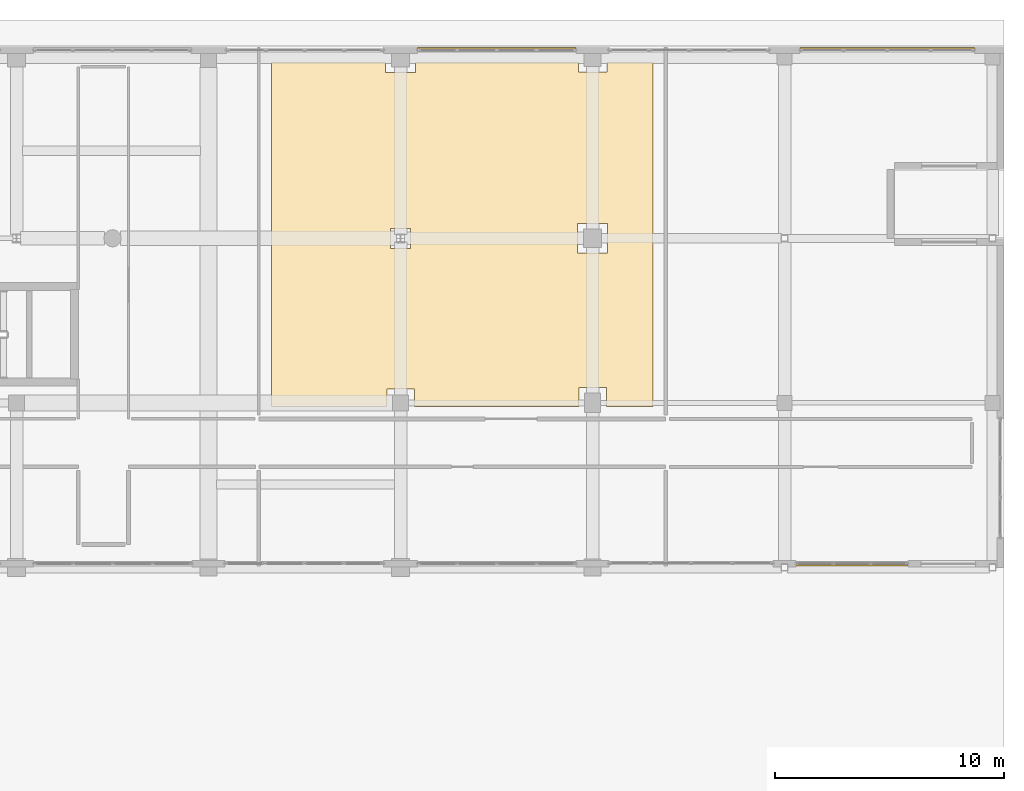
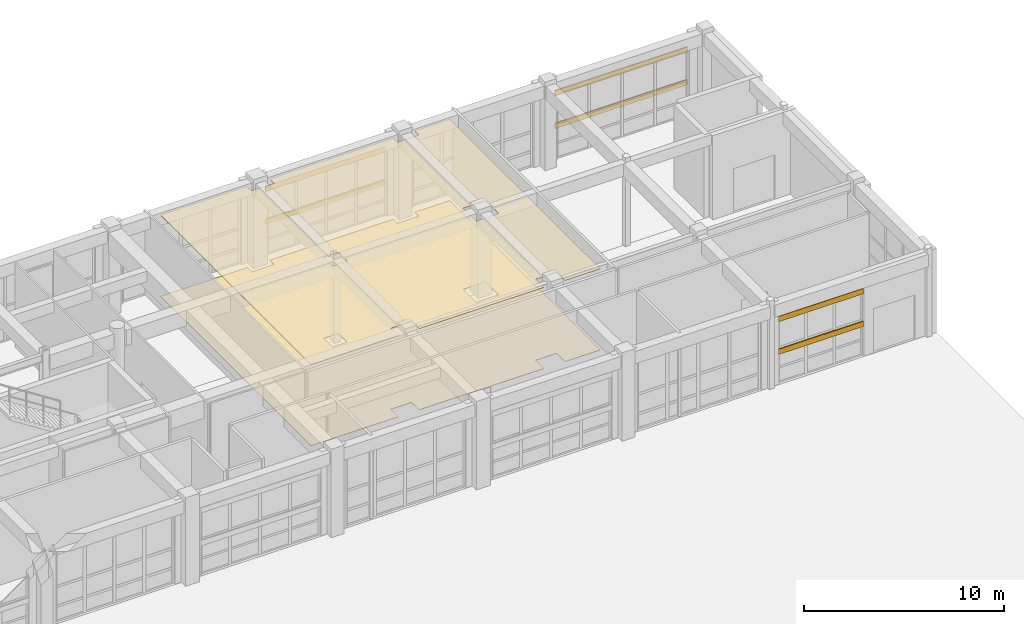
# One storey, part 148 of 148: 6 shading devices, 2 coverings.
"""IFC4 building model written with IfcOpenShell, lengths in metres."""

from ifc_helpers import new_model, si_unit, direction, frame, origin, origin_2d, place, context, subcontext, project, spatial, polyline, hollow_rectangle, outline, extrude, material, layer, layer_set, material_profile, profile_set, type_object, element, save


model = new_model("IFC4")

# Units and contexts
model_context = context("Model", 3, precision=1e-05, world=origin(), true_north=direction((0.0, 1.0)))
body_context = subcontext(model_context, "Body", "Model", "MODEL_VIEW")
ifc_project = project(units=[si_unit("LENGTHUNIT", "METRE"), si_unit("AREAUNIT", "SQUARE_METRE"), si_unit("VOLUMEUNIT", "CUBIC_METRE"), si_unit("PLANEANGLEUNIT", "RADIAN"), si_unit("MASSUNIT", "GRAM", prefix="KILO")], contexts=[model_context])

# Site, building, storey
site_placement = place(None, origin())
site = spatial("IfcSite", under=ifc_project, at=site_placement, CompositionType="ELEMENT")
building_placement = place(site_placement, origin())
building = spatial("IfcBuilding", under=site, at=building_placement, Name="Quendrovan Civic Courthouse", CompositionType="ELEMENT")
storey_placement = place(building_placement, origin())
storey = spatial("IfcBuildingStorey", under=building, at=storey_placement, Name="L01", CompositionType="ELEMENT", Elevation=0.0)

# Coverings
ifc_material_1 = material(Name="Perforated Western Red Cedar and mineral acoustic ceiling")
ifc_layer_1 = layer(ifc_material_1, 0.034912109375, Name="Perforated Western Red Cedar and mineral acoustic ceiling")
ifc_layer_set_1 = layer_set([ifc_layer_1], Name="Perforated Western Red Cedar and mineral acoustic ceiling")
covering_type_1 = type_object("IfcCoveringType", Name="COV-CEIL-ACOUSTIC", PredefinedType="CEILING", material=ifc_layer_set_1)
covering_1_placement = place(storey_placement, frame((0.0, 0.0, 4.945068359375)))
element("IfcCovering", 1, at=covering_1_placement, inside=storey, type_object=covering_type_1, Name="L01 Ceremonial Courtroom Acoustic Ceiling", PredefinedType="CEILING", context=body_context, shape_type="SweptSolid", body=[
    extrude(outline(polyline([(135.0, 94.64990234375), (135.0, 95.39990234375), (133.800048828125, 95.39990234375), (133.800048828125, 94.64990234375), (128.75, 94.64990234375), (128.75, 109.68994140625), (133.75, 109.68994140625), (133.75, 109.25), (135.050048828125, 109.25), (135.050048828125, 109.68994140625), (142.175048828125, 109.68994140625), (142.175048828125, 109.27490234375), (143.425048828125, 109.27490234375), (143.425048828125, 109.68994140625), (145.449951171875, 109.68994140625), (145.449951171875, 94.64990234375), (143.39990234375, 94.64990234375), (143.39990234375, 95.47509765625), (142.199951171875, 95.47509765625), (142.199951171875, 94.64990234375), (135.0, 94.64990234375)]), holes=[polyline([(133.962890625, 101.56396484375), (134.8369140625, 101.56396484375), (134.8369140625, 102.43603515625), (133.962890625, 102.43603515625), (133.962890625, 101.56396484375)]), polyline([(142.14990234375, 101.35009765625), (143.449951171875, 101.35009765625), (143.449951171875, 102.64990234375), (142.14990234375, 102.64990234375), (142.14990234375, 101.35009765625)])]), origin(), (0.0, 0.0, 1.0), 0.034912109375),
])
ifc_material_2 = material(Name="Solid oak courtroom parquet flooring")
ifc_layer_2 = layer(ifc_material_2, 0.02490234375, Name="Solid oak courtroom parquet flooring")
ifc_layer_set_2 = layer_set([ifc_layer_2], Name="Solid oak courtroom parquet flooring")
covering_type_2 = type_object("IfcCoveringType", Name="COV-FLOR-TIMBER", PredefinedType="FLOORING", material=ifc_layer_set_2)
covering_2_placement = place(storey_placement, origin())
element("IfcCovering", 2, at=covering_2_placement, inside=storey, type_object=covering_type_2, Name="L01 Ceremonial Courtroom Finish Flooring", PredefinedType="FLOORING", context=body_context, shape_type="SweptSolid", body=[
    extrude(outline(polyline([(135.0, 94.64990234375), (135.0, 95.39990234375), (133.800048828125, 95.39990234375), (133.800048828125, 94.64990234375), (128.75, 94.64990234375), (128.75, 109.68994140625), (133.75, 109.68994140625), (133.75, 109.25), (135.050048828125, 109.25), (135.050048828125, 109.68994140625), (142.175048828125, 109.68994140625), (142.175048828125, 109.27490234375), (143.425048828125, 109.27490234375), (143.425048828125, 109.68994140625), (145.449951171875, 109.68994140625), (145.449951171875, 94.64990234375), (143.39990234375, 94.64990234375), (143.39990234375, 95.47509765625), (142.199951171875, 95.47509765625), (142.199951171875, 94.64990234375), (135.0, 94.64990234375)]), holes=[polyline([(133.962890625, 101.56396484375), (134.8369140625, 101.56396484375), (134.8369140625, 102.43603515625), (133.962890625, 102.43603515625), (133.962890625, 101.56396484375)]), polyline([(142.14990234375, 101.35009765625), (143.449951171875, 101.35009765625), (143.449951171875, 102.64990234375), (142.14990234375, 102.64990234375), (142.14990234375, 101.35009765625)])]), origin(), (0.0, 0.0, 1.0), 0.02490234375),
])

# Shading devices
ifc_material_3 = material(Name="Bronze anodised aluminium", Category="aluminium")
ifc_material_profile = material_profile(ifc_material_3, hollow_rectangle(XDim=0.06494140625, YDim=0.320068359375, WallThickness=0.0048828125, at=origin_2d()), Name="AL-LOUVRE-65x320")
ifc_profile_set = profile_set([ifc_material_profile], Name="Bronze anodised aluminium")
shading_device_type = type_object("IfcShadingDeviceType", Name="SHD-STORM-LOUVRE", PredefinedType="JALOUSIE", material=ifc_profile_set)
for number, where, z_axis, x_axis, name in (
    (3, (135.14990234375, 110.31494140625, 1.949951171875), (1.0, 0.0, 0.0), (0.0, 1.0, 0.0), "L01 Bronze Hurricane Storm Louvre SLV-039"),
    (4, (135.14990234375, 110.31494140625, 3.949951171875), (1.0, 0.0, 0.0), (0.0, 1.0, 0.0), "L01 Bronze Hurricane Storm Louvre SLV-040"),
):
    element("IfcShadingDevice", number, at=place(storey_placement, frame(where, z_axis=z_axis, x_axis=x_axis)), inside=storey, type_object=shading_device_type, Name=name, PredefinedType="JALOUSIE", context=body_context, shape_type="SweptSolid", body=[
        extrude(hollow_rectangle(XDim=0.06494140625, YDim=0.320068359375, WallThickness=0.0048828125, at=origin_2d()), origin(), (0.0, 0.0, 1.0), 6.925048828125),
    ])
for number, where, z_axis, x_axis, name in (
    (5, (151.875, 110.31494140625, 1.949951171875), (1.0, 0.0, 0.0), (0.0, 1.0, 0.0), "L01 Bronze Hurricane Storm Louvre SLV-041"),
    (6, (151.875, 110.31494140625, 3.949951171875), (1.0, 0.0, 0.0), (0.0, 1.0, 0.0), "L01 Bronze Hurricane Storm Louvre SLV-042"),
):
    element("IfcShadingDevice", number, at=place(storey_placement, frame(where, z_axis=z_axis, x_axis=x_axis)), inside=storey, type_object=shading_device_type, Name=name, PredefinedType="JALOUSIE", context=body_context, shape_type="SweptSolid", body=[
        extrude(hollow_rectangle(XDim=0.06494140625, YDim=0.320068359375, WallThickness=0.0048828125, at=origin_2d()), origin(), (0.0, 0.0, 1.0), 7.625),
    ])
for number, where, z_axis, x_axis, name in (
    (7, (156.60009765625, 87.68505859375, 1.949951171875), (-1.0, 0.0, 0.0), (0.0, -1.0, 0.0), "L01 Bronze Hurricane Storm Louvre SLV-043"),
    (8, (156.60009765625, 87.68505859375, 3.949951171875), (-1.0, 0.0, 0.0), (0.0, -1.0, 0.0), "L01 Bronze Hurricane Storm Louvre SLV-044"),
):
    element("IfcShadingDevice", number, at=place(storey_placement, frame(where, z_axis=z_axis, x_axis=x_axis)), inside=storey, type_object=shading_device_type, Name=name, PredefinedType="JALOUSIE", context=body_context, shape_type="SweptSolid", body=[
        extrude(hollow_rectangle(XDim=0.06494140625, YDim=0.320068359375, WallThickness=0.0048828125, at=origin_2d()), origin(), (0.0, 0.0, 1.0), 4.900146484375),
    ])

save(model, "model.ifc")
